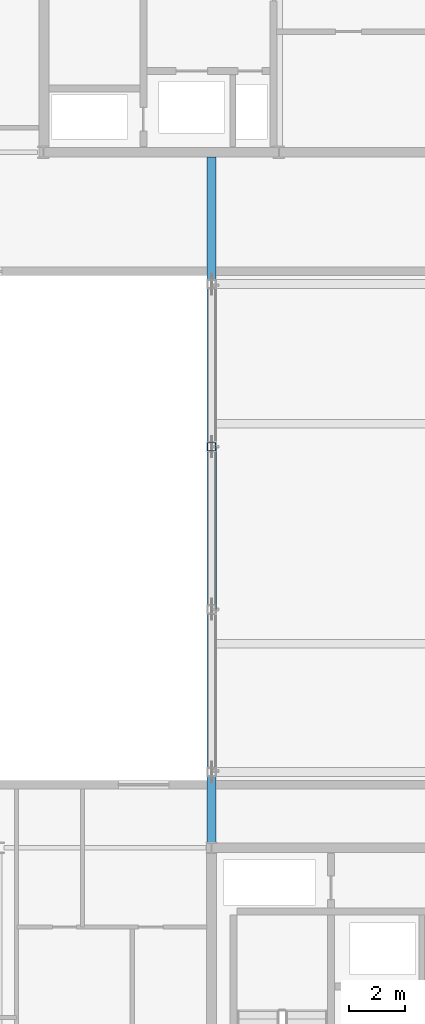
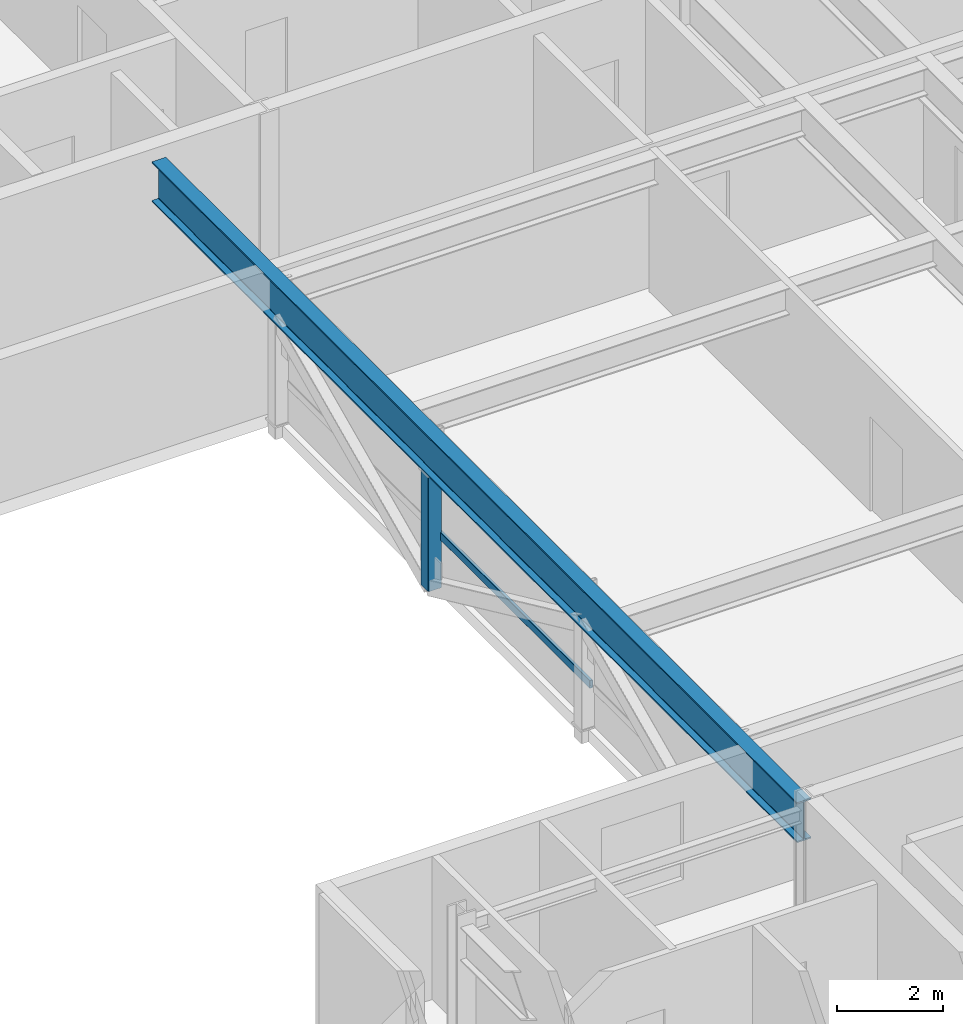
# One storey, part 5 of 36: 2 members, 1 beam, 1 element without a shape of its own.
"""IFC4 building model written with IfcOpenShell, lengths in metres."""

from ifc_helpers import new_model, si_unit, direction, frame, origin, origin_2d, place, context, subcontext, project, spatial, hollow_rectangle, i_section, extrude, material, layer, layer_set, material_profile, profile_set, type_object, element, aggregate, save


model = new_model("IFC4")

# Units and contexts
model_context = context("Model", 3, precision=1e-05, world=origin(), true_north=direction((0.0, 1.0)))
body_context = subcontext(model_context, "Body", "Model", "MODEL_VIEW")
ifc_project = project(units=[si_unit("LENGTHUNIT", "METRE"), si_unit("AREAUNIT", "SQUARE_METRE"), si_unit("VOLUMEUNIT", "CUBIC_METRE"), si_unit("PLANEANGLEUNIT", "RADIAN"), si_unit("MASSUNIT", "GRAM", prefix="KILO")], contexts=[model_context])

# Site, building, storey
site_placement = place(None, origin())
site = spatial("IfcSite", under=ifc_project, at=site_placement, CompositionType="ELEMENT")
building_placement = place(site_placement, origin())
building = spatial("IfcBuilding", under=site, at=building_placement, Name="Korimba Cascade Residences", CompositionType="ELEMENT")
storey_placement = place(building_placement, frame((0.0, 0.0, 142.89990234375)))
storey = spatial("IfcBuildingStorey", under=building, at=storey_placement, Name="L41", CompositionType="ELEMENT", Elevation=142.89990234375)

# Beam
ifc_material_1 = material(Name="Steel S460", Category="steel")
ifc_material_profile_1 = material_profile(ifc_material_1, i_section(OverallWidth=0.3076171875, OverallDepth=0.926513671875, WebThickness=0.01953125, FlangeThickness=0.031982421875, FilletRadius=0.01904296875, at=origin_2d()), Name="Steel S460")
ifc_profile_set_1 = profile_set([ifc_material_profile_1], Name="Steel S460")
beam_type = type_object("IfcBeamType", Name="BM-STL-UB914B", PredefinedType="BEAM", material=ifc_profile_set_1)
beam_placement = place(storey_placement, frame((82.10009765625, 30.574951171875, 2.8466796875), z_axis=(0.0, 1.0, 0.0), x_axis=(-1.0, 0.0, 0.0)))
element("IfcBeam", 1, at=beam_placement, inside=storey, type_object=beam_type, Name="L41 Rigid Mid-Bridge Truss Chord 1", PredefinedType="BEAM", context=body_context, shape_type="SweptSolid", body=[
    extrude(i_section(OverallWidth=0.3076171875, OverallDepth=0.926513671875, WebThickness=0.01953125, FlangeThickness=0.031982421875, FilletRadius=0.01904296875, at=origin_2d()), origin(), (0.0, 0.0, 1.0), 24.449951171875),
])

# Curtain wall, member
ifc_material_2 = material(Name="Anodised Aluminium Curtain Wall Framing", Category="aluminium")
ifc_layer = layer(ifc_material_2, 0.179931640625)
ifc_layer_set = layer_set([ifc_layer], Name="Anodised Aluminium Curtain Wall Framing")
curtain_wall_type = type_object("IfcCurtainWallType", Name="CW-BRG-SYS3", PredefinedType="NOTDEFINED", material=ifc_layer_set)
curtain_wall_placement = place(storey_placement, origin())
curtain_wall = element("IfcCurtainWall", 2, at=curtain_wall_placement, inside=storey, type_object=curtain_wall_type, Name="L41 Curtain Wall CW-L41-BRG-W", PredefinedType="NOTDEFINED")
ifc_material_3 = material(Name="Anodised Aluminium Transom", Category="aluminium")
ifc_material_profile_2 = material_profile(ifc_material_3, hollow_rectangle(XDim=0.070068359375, YDim=0.179931640625, WallThickness=0.0048828125, InnerFilletRadius=0.0048828125, OuterFilletRadius=0.010009765625, at=origin_2d()), Name="Anodised Aluminium Transom")
ifc_profile_set_2 = profile_set([ifc_material_profile_2], Name="Anodised Aluminium Transom")
member_type_1 = type_object("IfcMemberType", Name="CWM-TRN-150", PredefinedType="USERDEFINED", material=ifc_profile_set_2)
member_1_placement = place(storey_placement, frame((82.25, 38.89990234375, 0.900146484375), z_axis=(0.0, 1.0, 0.0), x_axis=(-1.0, 0.0, 0.0)))
member_1 = element("IfcMember", 3, at=member_1_placement, type_object=member_type_1, Name="CW-L41-BRG-W Transom 2", ObjectType="TRANSOM", PredefinedType="USERDEFINED", context=body_context, shape_type="SweptSolid", body=[
    extrude(hollow_rectangle(XDim=0.070068359375, YDim=0.179931640625, WallThickness=0.0048828125, InnerFilletRadius=0.0048828125, OuterFilletRadius=0.010009765625, at=origin_2d()), origin(), (0.0, 0.0, 1.0), 5.800048828125),
])
aggregate(curtain_wall, [member_1])

# Member
ifc_material_profile_3 = material_profile(ifc_material_1, hollow_rectangle(XDim=0.300048828125, YDim=0.300048828125, WallThickness=0.012451171875, InnerFilletRadius=0.012451171875, OuterFilletRadius=0.02490234375, at=origin_2d()), Name="Steel S460")
ifc_profile_set_3 = profile_set([ifc_material_profile_3], Name="Steel S460")
member_type_2 = type_object("IfcMemberType", Name="MEM-BRG-STR300", PredefinedType="STRUT", material=ifc_profile_set_3)
member_2_placement = place(storey_placement, frame((82.10009765625, 44.699951171875, -0.289794921875), z_axis=(0.0, 0.0, 1.0), x_axis=(1.0, 0.0, 0.0)))
element("IfcMember", 4, at=member_2_placement, inside=storey, type_object=member_type_2, Name="L41 Mid-Bridge Warren Web Post W3", PredefinedType="STRUT", context=body_context, shape_type="SweptSolid", body=[
    extrude(hollow_rectangle(XDim=0.300048828125, YDim=0.300048828125, WallThickness=0.012451171875, InnerFilletRadius=0.012451171875, OuterFilletRadius=0.02490234375, at=origin_2d()), origin(), (0.0, 0.0, 1.0), 2.67333984375),
])

save(model, "model.ifc")
